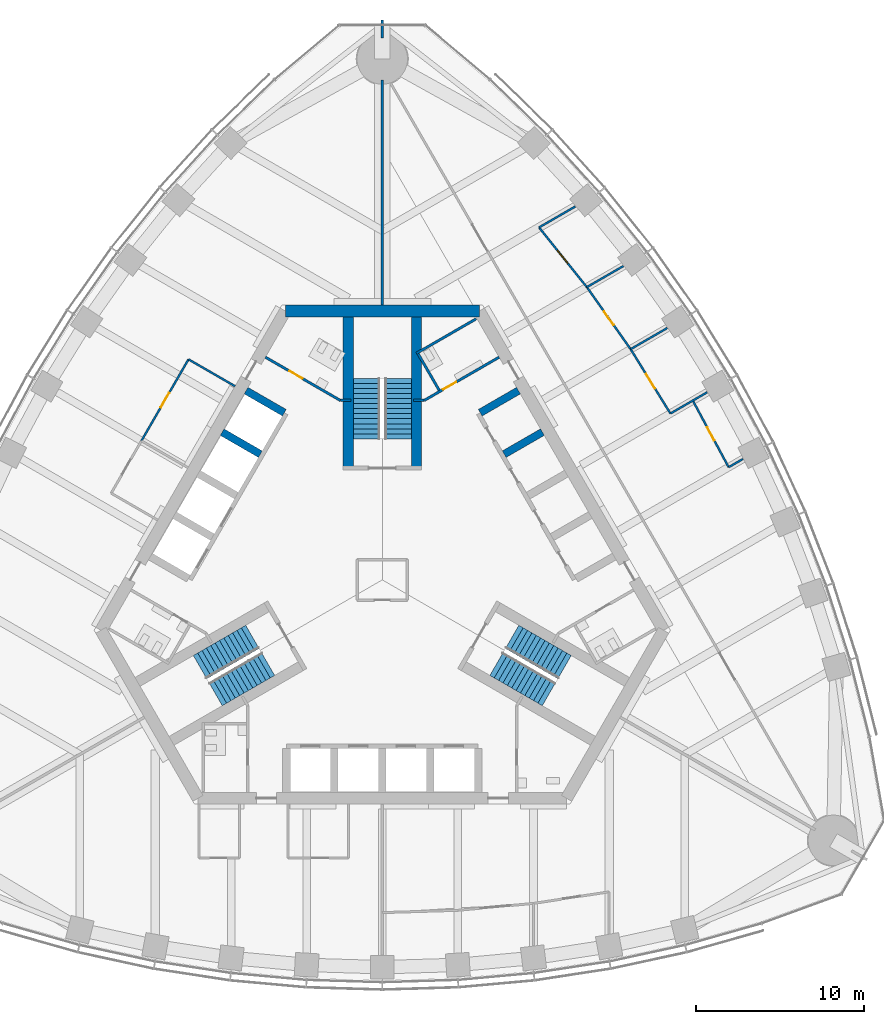
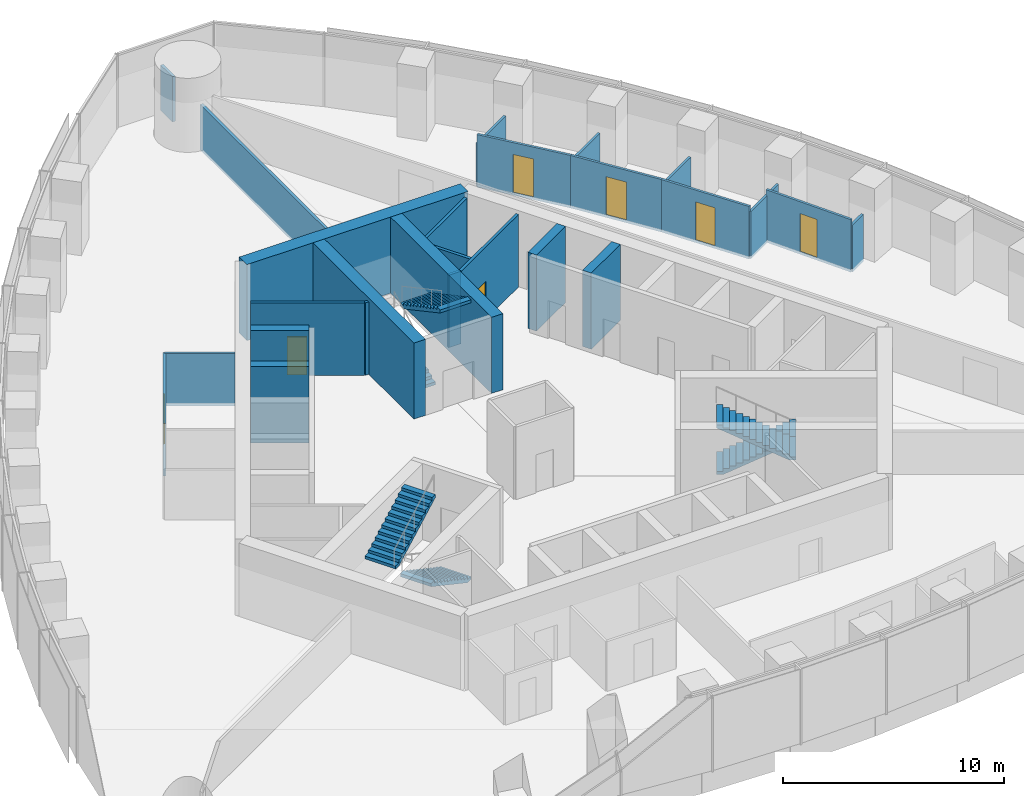
# One storey, part 10 of 15: 26 walls, 7 doors, 6 stair flights, 7 openings, 3 elements without a shape of their own.
"""IFC4 building model written with IfcOpenShell, lengths in metres."""

from ifc_helpers import new_model, si_unit, direction, frame, frame_2d, origin, place, context, subcontext, project, spatial, polyline, rectangle, outline, extrude, material, layer, layer_set, type_object, element, fill, aggregate, save


model = new_model("IFC4")

# Units and contexts
model_context = context("Model", 3, precision=1e-05, world=origin(), true_north=direction((0.0, 1.0)))
body_context = subcontext(model_context, "Body", "Model", "MODEL_VIEW")
ifc_project = project(units=[si_unit("LENGTHUNIT", "METRE"), si_unit("AREAUNIT", "SQUARE_METRE"), si_unit("VOLUMEUNIT", "CUBIC_METRE"), si_unit("PLANEANGLEUNIT", "RADIAN"), si_unit("MASSUNIT", "GRAM", prefix="KILO")], contexts=[model_context])

# Site, building, storey
site_placement = place(None, origin())
site = spatial("IfcSite", under=ifc_project, at=site_placement, CompositionType="ELEMENT")
building_placement = place(site_placement, origin())
building = spatial("IfcBuilding", under=site, at=building_placement, Name="Trefoil Bronze Tower", CompositionType="ELEMENT")
storey_placement = place(building_placement, frame((0.0, 0.0, 276.300048828125)))
storey = spatial("IfcBuildingStorey", under=building, at=storey_placement, Name="L63", CompositionType="ELEMENT", Elevation=276.300048828125)

# Wall
ifc_material_1 = material(Name="Concrete B80", Category="concrete")
ifc_layer_1 = layer(ifc_material_1, 0.699951171875)
ifc_layer_set_1 = layer_set([ifc_layer_1], Name="Core wall 700")
wall_type_1 = type_object("IfcWallType", Name="Core wall 700", PredefinedType="SHEAR", material=ifc_layer_set_1)
wall_1_placement = place(storey_placement, frame((5.7734375, 16.0, 0.0), z_axis=(0.0, 0.0, 1.0), x_axis=(-1.0, 0.0, 0.0)))
element("IfcWall", 1, at=wall_1_placement, inside=storey, type_object=wall_type_1, Name="Core short wall 2 L63", PredefinedType="SHEAR", context=body_context, shape_type="SweptSolid", body=[
    extrude(rectangle(XDim=11.546875, YDim=0.699951171875, at=frame_2d((5.7734375, 0.0))), origin(), (0.0, 0.0, 1.0), 4.199951171875),
])

# Wall, opening, door
ifc_material_2 = material(Name="Glazed partition", Category="glass")
ifc_layer_2 = layer(ifc_material_2, 0.1201171875)
ifc_layer_set_2 = layer_set([ifc_layer_2], Name="Glazed partition 120")
wall_type_2 = type_object("IfcWallType", Name="Glazed partition 120", PredefinedType="PARTITIONING", material=ifc_layer_set_2)
wall_2_placement = place(storey_placement, frame((17.148681640625, 9.90087890625, 0.0), z_axis=(0.0, 0.0, 1.0), x_axis=(-0.525981173851, 0.850496210899, 0.0)))
wall_2 = element("IfcWall", 2, at=wall_2_placement, inside=storey, type_object=wall_type_2, Name="Partition F2 L63", PredefinedType="PARTITIONING", context=body_context, shape_type="SweptSolid", body=[
    extrude(rectangle(XDim=4.501953125, YDim=0.1201171875, at=frame_2d((2.2509765625, 0.0))), origin(), (0.0, 0.0, 1.0), 2.89990234375),
])
opening_1_placement = place(wall_2_placement, frame((1.75, 0.0, 0.14990234375)))
opening_1 = element("IfcOpeningElement", 3, at=opening_1_placement, cuts=wall_2, Name="Opening D9", PredefinedType="OPENING", context=body_context, shape_type="SweptSolid", body=[
    extrude(rectangle(XDim=1.0, YDim=2.10009765625, at=frame_2d((0.5, 1.050048828125))), frame((0.0, 0.070068359375, 0.0), z_axis=(0.0, -1.0, 0.0), x_axis=(1.0, 0.0, 0.0)), (0.0, 0.0, 1.0), 0.14013671875),
])
ifc_material_3 = material(Name="Glazed timber door", Category="wood")
door_type_1 = type_object("IfcDoorType", Name="Meeting room door 1000", OperationType="SINGLE_SWING_LEFT", PredefinedType="DOOR", material=ifc_material_3)
door_1_placement = place(opening_1_placement, frame((1.0, 0.0, 0.0), z_axis=(0.0, 0.0, 1.0), x_axis=(-1.0, 0.0, 0.0)))
door_1 = element("IfcDoor", 4, at=door_1_placement, inside=storey, type_object=door_type_1, Name="Meeting room door F2 L63", OperationType="SINGLE_SWING_RIGHT", OverallHeight=2.10009765625, OverallWidth=1.0, PredefinedType="DOOR", context=body_context, shape_type="SweptSolid", body=[
    extrude(rectangle(XDim=1.0, YDim=2.10009765625, at=frame_2d((0.5, 1.050048828125))), frame((0.0, 0.02490234375, 0.0), z_axis=(0.0, -1.0, 0.0), x_axis=(1.0, 0.0, 0.0)), (0.0, 0.0, 1.0), 0.050048828125),
])
fill(opening_1, door_1)

wall_3_placement = place(storey_placement, frame((14.78076171875, 13.729736328125, 0.0), z_axis=(0.0, 0.0, 1.0), x_axis=(-0.576572893039, 0.817045714151, 0.0)))
wall_3 = element("IfcWall", 5, at=wall_3_placement, inside=storey, type_object=wall_type_2, Name="Partition F2 L63", PredefinedType="PARTITIONING", context=body_context, shape_type="SweptSolid", body=[
    extrude(rectangle(XDim=4.518798828125, YDim=0.1201171875, at=frame_2d((2.25927734375, 0.0))), origin(), (0.0, 0.0, 1.0), 2.89990234375),
])
opening_2_placement = place(wall_3_placement, frame((1.75, 0.0, 0.14990234375)))
opening_2 = element("IfcOpeningElement", 6, at=opening_2_placement, cuts=wall_3, Name="Opening D9", PredefinedType="OPENING", context=body_context, shape_type="SweptSolid", body=[
    extrude(rectangle(XDim=1.0, YDim=2.10009765625, at=frame_2d((0.5, 1.050048828125))), frame((0.0, 0.070068359375, 0.0), z_axis=(0.0, -1.0, 0.0), x_axis=(1.0, 0.0, 0.0)), (0.0, 0.0, 1.0), 0.14013671875),
])
door_2_placement = place(opening_2_placement, frame((1.0, 0.0, 0.0), z_axis=(0.0, 0.0, 1.0), x_axis=(-1.0, 0.0, 0.0)))
door_2 = element("IfcDoor", 7, at=door_2_placement, inside=storey, type_object=door_type_1, Name="Meeting room door F2 L63", OperationType="SINGLE_SWING_RIGHT", OverallHeight=2.10009765625, OverallWidth=1.0, PredefinedType="DOOR", context=body_context, shape_type="SweptSolid", body=[
    extrude(rectangle(XDim=1.0, YDim=2.10009765625, at=frame_2d((0.5, 1.050048828125))), frame((0.0, 0.02490234375, 0.0), z_axis=(0.0, -1.0, 0.0), x_axis=(1.0, 0.0, 0.0)), (0.0, 0.0, 1.0), 0.050048828125),
])
fill(opening_2, door_2)

wall_4_placement = place(storey_placement, frame((12.17529296875, 17.421875, 0.0), z_axis=(0.0, 0.0, 1.0), x_axis=(-0.625290045305, 0.780392439252, 0.0)))
wall_4 = element("IfcWall", 8, at=wall_4_placement, inside=storey, type_object=wall_type_2, Name="Partition F2 L63", PredefinedType="PARTITIONING", context=body_context, shape_type="SweptSolid", body=[
    extrude(rectangle(XDim=4.55224609375, YDim=0.1201171875, at=frame_2d((2.276123046875, 0.0))), origin(), (0.0, 0.0, 1.0), 2.89990234375),
])
opening_3_placement = place(wall_4_placement, frame((1.800048828125, 0.0, 0.14990234375)))
opening_3 = element("IfcOpeningElement", 9, at=opening_3_placement, cuts=wall_4, Name="Opening D9", PredefinedType="OPENING", context=body_context, shape_type="SweptSolid", body=[
    extrude(rectangle(XDim=1.0, YDim=2.10009765625, at=frame_2d((0.5, 1.050048828125))), frame((0.0, 0.070068359375, 0.0), z_axis=(0.0, -1.0, 0.0), x_axis=(1.0, 0.0, 0.0)), (0.0, 0.0, 1.0), 0.14013671875),
])
door_3_placement = place(opening_3_placement, frame((1.0, 0.0, 0.0), z_axis=(0.0, 0.0, 1.0), x_axis=(-1.0, 0.0, 0.0)))
door_3 = element("IfcDoor", 10, at=door_3_placement, inside=storey, type_object=door_type_1, Name="Meeting room door F2 L63", OperationType="SINGLE_SWING_LEFT", OverallHeight=2.10009765625, OverallWidth=1.0, PredefinedType="DOOR", context=body_context, shape_type="SweptSolid", body=[
    extrude(rectangle(XDim=1.0, YDim=2.10009765625, at=frame_2d((0.5, 1.050048828125))), frame((0.0, 0.02490234375, 0.0), z_axis=(0.0, -1.0, 0.0), x_axis=(1.0, 0.0, 0.0)), (0.0, 0.0, 1.0), 0.050048828125),
])
fill(opening_3, door_3)

wall_5_placement = place(storey_placement, frame((20.613525390625, 6.705078125, 0.0), z_axis=(0.0, 0.0, 1.0), x_axis=(-0.473566170147, 0.880758242932, 0.0)))
wall_5 = element("IfcWall", 11, at=wall_5_placement, inside=storey, type_object=wall_type_2, Name="Partition F2 L63", PredefinedType="PARTITIONING", context=body_context, shape_type="SweptSolid", body=[
    extrude(rectangle(XDim=4.502197265625, YDim=0.1201171875, at=frame_2d((2.2509765625, 0.0))), origin(), (0.0, 0.0, 1.0), 2.89990234375),
])
opening_4_placement = place(wall_5_placement, frame((1.800048828125, 0.0, 0.14990234375)))
opening_4 = element("IfcOpeningElement", 12, at=opening_4_placement, cuts=wall_5, Name="Opening D8", PredefinedType="OPENING", context=body_context, shape_type="SweptSolid", body=[
    extrude(rectangle(XDim=0.89990234375, YDim=2.10009765625, at=frame_2d((0.449951171875, 1.050048828125))), frame((0.0, 0.070068359375, 0.0), z_axis=(0.0, -1.0, 0.0), x_axis=(1.0, 0.0, 0.0)), (0.0, 0.0, 1.0), 0.14013671875),
])
ifc_material_4 = material(Name="Timber door", Category="wood")
door_type_2 = type_object("IfcDoorType", Name="Office door 900", OperationType="SINGLE_SWING_LEFT", PredefinedType="DOOR", material=ifc_material_4)
door_4_placement = place(opening_4_placement, frame((0.89990234375, 0.0, 0.0), z_axis=(0.0, 0.0, 1.0), x_axis=(-1.0, 0.0, 0.0)))
door_4 = element("IfcDoor", 13, at=door_4_placement, inside=storey, type_object=door_type_2, Name="Comms room door F2 L63", OperationType="SINGLE_SWING_RIGHT", OverallHeight=2.10009765625, OverallWidth=0.89990234375, PredefinedType="DOOR", context=body_context, shape_type="SweptSolid", body=[
    extrude(rectangle(XDim=0.89990234375, YDim=2.10009765625, at=frame_2d((0.449951171875, 1.050048828125))), frame((0.0, 0.02490234375, 0.0), z_axis=(0.0, -1.0, 0.0), x_axis=(1.0, 0.0, 0.0)), (0.0, 0.0, 1.0), 0.050048828125),
])
fill(opening_4, door_4)

# Walls
wall_6_placement = place(storey_placement, frame((17.148681640625, 9.90087890625, 0.0), z_axis=(0.0, 0.0, 1.0), x_axis=(0.866022637375, 0.500004791531, 0.0)))
element("IfcWall", 14, at=wall_6_placement, inside=storey, type_object=wall_type_2, Name="Partition F2 L63", PredefinedType="PARTITIONING", context=body_context, shape_type="SweptSolid", body=[
    extrude(rectangle(XDim=2.52001953125, YDim=0.1201171875, at=frame_2d((1.260009765625, 0.0))), origin(), (0.0, 0.0, 1.0), 2.599853515625),
])
wall_7_placement = place(storey_placement, frame((9.328857421875, 20.974365234375, 0.0), z_axis=(0.0, 0.0, 1.0), x_axis=(0.865999769722, 0.50004439687, 0.0)))
element("IfcWall", 15, at=wall_7_placement, inside=storey, type_object=wall_type_2, Name="Partition F2 L63", PredefinedType="PARTITIONING", context=body_context, shape_type="SweptSolid", body=[
    extrude(rectangle(XDim=2.494384765625, YDim=0.1201171875, at=frame_2d((1.2470703125, 0.0))), origin(), (0.0, 0.0, 1.0), 2.39990234375),
])
wall_8_placement = place(storey_placement, frame((14.78076171875, 13.729736328125, 0.0), z_axis=(0.0, 0.0, 1.0), x_axis=(0.866032146685, 0.499988320771, 0.0)))
element("IfcWall", 16, at=wall_8_placement, inside=storey, type_object=wall_type_2, Name="Partition F2 L63", PredefinedType="PARTITIONING", context=body_context, shape_type="SweptSolid", body=[
    extrude(rectangle(XDim=2.51708984375, YDim=0.1201171875, at=frame_2d((1.258544921875, 0.0))), origin(), (0.0, 0.0, 1.0), 2.599853515625),
])
wall_9_placement = place(storey_placement, frame((12.17529296875, 17.421875, 0.0), z_axis=(0.0, 0.0, 1.0), x_axis=(0.866085123457, 0.499896548224, 0.0)))
element("IfcWall", 17, at=wall_9_placement, inside=storey, type_object=wall_type_2, Name="Partition F2 L63", PredefinedType="PARTITIONING", context=body_context, shape_type="SweptSolid", body=[
    extrude(rectangle(XDim=2.5087890625, YDim=0.1201171875, at=frame_2d((1.25439453125, 0.0))), origin(), (0.0, 0.0, 1.0), 2.599853515625),
])
wall_10_placement = place(storey_placement, frame((20.613525390625, 6.705078125, 0.0), z_axis=(0.0, 0.0, 1.0), x_axis=(0.866069217599, 0.499924104568, 0.0)))
element("IfcWall", 18, at=wall_10_placement, inside=storey, type_object=wall_type_2, Name="Partition F2 L63", PredefinedType="PARTITIONING", context=body_context, shape_type="SweptSolid", body=[
    extrude(rectangle(XDim=0.978271484375, YDim=0.1201171875, at=frame_2d((0.4892578125, 0.0))), origin(), (0.0, 0.0, 1.0), 2.599853515625),
])

# Wall, opening, door
wall_11_placement = place(storey_placement, frame((-11.53271484375, 13.124755859375, 0.0), z_axis=(0.0, 0.0, 1.0), x_axis=(-0.49999793692, -0.866026594901, 0.0)))
wall_11 = element("IfcWall", 19, at=wall_11_placement, inside=storey, type_object=wall_type_2, Name="Partition F3 L63", PredefinedType="PARTITIONING", context=body_context, shape_type="SweptSolid", body=[
    extrude(rectangle(XDim=5.60009765625, YDim=0.1201171875, at=frame_2d((2.800048828125, 0.0))), origin(), (0.0, 0.0, 1.0), 2.89990234375),
])
opening_5_placement = place(wall_11_placement, frame((2.300048828125, 0.0, 0.14990234375)))
opening_5 = element("IfcOpeningElement", 20, at=opening_5_placement, cuts=wall_11, Name="Opening D9", PredefinedType="OPENING", context=body_context, shape_type="SweptSolid", body=[
    extrude(rectangle(XDim=1.0, YDim=2.10009765625, at=frame_2d((0.5, 1.050048828125))), frame((0.0, 0.070068359375, 0.0), z_axis=(0.0, -1.0, 0.0), x_axis=(1.0, 0.0, 0.0)), (0.0, 0.0, 1.0), 0.14013671875),
])
door_5_placement = place(opening_5_placement, origin())
door_5 = element("IfcDoor", 21, at=door_5_placement, inside=storey, type_object=door_type_1, Name="Meeting room door F3 L63", OperationType="SINGLE_SWING_RIGHT", OverallHeight=2.10009765625, OverallWidth=1.0, PredefinedType="DOOR", context=body_context, shape_type="SweptSolid", body=[
    extrude(rectangle(XDim=1.0, YDim=2.10009765625, at=frame_2d((0.5, 1.050048828125))), frame((0.0, 0.02490234375, 0.0), z_axis=(0.0, -1.0, 0.0), x_axis=(1.0, 0.0, 0.0)), (0.0, 0.0, 1.0), 0.050048828125),
])
fill(opening_5, door_5)

# Walls
wall_12_placement = place(storey_placement, frame((-8.761474609375, 11.524658203125, 0.0), z_axis=(0.0, 0.0, 1.0), x_axis=(-0.866008981251, 0.500028443584, 0.0)))
element("IfcWall", 22, at=wall_12_placement, inside=storey, type_object=wall_type_2, Name="Partition F3 L63", PredefinedType="PARTITIONING", context=body_context, shape_type="SweptSolid", body=[
    extrude(rectangle(XDim=3.199951171875, YDim=0.1201171875, at=frame_2d((1.60009765625, 0.0))), origin(), (0.0, 0.0, 1.0), 2.89990234375),
])
ifc_material_5 = material(Name="Concrete B80", Category="concrete")
ifc_layer_3 = layer(ifc_material_5, 0.449951171875)
ifc_layer_set_3 = layer_set([ifc_layer_3], Name="Outrigger shaft wall 450")
wall_type_3 = type_object("IfcWallType", Name="Outrigger shaft wall 450", PredefinedType="SHEAR", material=ifc_layer_set_3)
for number, where, z_axis, x_axis, name in (
    (23, (7.2568359375, 7.480712890625, 0.0), (0.0, 0.0, 1.0), (0.866036909293, 0.499980071345, 0.0), "Lift shaft side wall B3 L63"),
    (24, (5.831787109375, 9.94873046875, 0.0), (0.0, 0.0, 1.0), (0.866036909293, 0.499980071345, 0.0), "Lift shaft side wall B4 L63"),
    (25, (-5.831787109375, 9.94873046875, 0.0), (0.0, 0.0, 1.0), (-0.866036909293, 0.499980071345, 0.0), "Lift shaft side wall C0 L63"),
    (26, (-7.2568359375, 7.480712890625, 0.0), (0.0, 0.0, 1.0), (-0.866036909293, 0.499980071345, 0.0), "Lift shaft side wall C1 L63"),
):
    element("IfcWall", number, at=place(storey_placement, frame(where, z_axis=z_axis, x_axis=x_axis)), inside=storey, type_object=wall_type_3, Name=name, PredefinedType="SHEAR", context=body_context, shape_type="SweptSolid", body=[
        extrude(rectangle(XDim=2.625, YDim=0.449951171875, at=frame_2d((1.3125, 0.0))), origin(), (0.0, 0.0, 1.0), 4.199951171875),
    ])

# Wall, opening, door
ifc_material_6 = material(Name="Gypsum board on steel studs", Category="steel")
ifc_layer_4 = layer(ifc_material_6, 0.14990234375)
ifc_layer_set_4 = layer_set([ifc_layer_4], Name="Partition 150")
wall_type_4 = type_object("IfcWallType", Name="Partition 150", PredefinedType="PARTITIONING", material=ifc_layer_set_4)
wall_13_placement = place(storey_placement, frame((2.4951171875, 10.67822265625, 0.0), z_axis=(0.0, 0.0, 1.0), x_axis=(0.866037967349, 0.499978238636, 0.0)))
wall_13 = element("IfcWall", 27, at=wall_13_placement, inside=storey, type_object=wall_type_4, Name="Passage wall F2+ L63", PredefinedType="PARTITIONING", context=body_context, shape_type="SweptSolid", body=[
    extrude(rectangle(XDim=5.150146484375, YDim=0.14990234375, at=frame_2d((2.5751953125, 0.0))), origin(), (0.0, 0.0, 1.0), 4.0),
])
opening_6_placement = place(wall_13_placement, frame((1.300048828125, 0.0, 0.0)))
opening_6 = element("IfcOpeningElement", 28, at=opening_6_placement, cuts=wall_13, Name="Opening D3", PredefinedType="OPENING", context=body_context, shape_type="SweptSolid", body=[
    extrude(rectangle(XDim=0.89990234375, YDim=2.10009765625, at=frame_2d((0.449951171875, 1.050048828125))), frame((0.0, 0.0849609375, 0.0), z_axis=(0.0, -1.0, 0.0), x_axis=(1.0, 0.0, 0.0)), (0.0, 0.0, 1.0), 0.169921875),
])
ifc_material_7 = material(Name="Timber door", Category="wood")
door_type_3 = type_object("IfcDoorType", Name="WC door 900", OperationType="SINGLE_SWING_LEFT", PredefinedType="DOOR", material=ifc_material_7)
door_6_placement = place(opening_6_placement, origin())
door_6 = element("IfcDoor", 29, at=door_6_placement, inside=storey, type_object=door_type_3, Name="WC (men) door L63", OperationType="SINGLE_SWING_LEFT", OverallHeight=2.10009765625, OverallWidth=0.89990234375, PredefinedType="DOOR", context=body_context, shape_type="SweptSolid", body=[
    extrude(rectangle(XDim=0.89990234375, YDim=2.10009765625, at=frame_2d((0.449951171875, 1.050048828125))), frame((0.0, 0.02490234375, 0.0), z_axis=(0.0, -1.0, 0.0), x_axis=(1.0, 0.0, 0.0)), (0.0, 0.0, 1.0), 0.050048828125),
])
fill(opening_6, door_6)

wall_14_placement = place(storey_placement, frame((-2.4951171875, 10.67822265625, 0.0), z_axis=(0.0, 0.0, 1.0), x_axis=(-0.866037967349, 0.499978238636, 0.0)))
wall_14 = element("IfcWall", 30, at=wall_14_placement, inside=storey, type_object=wall_type_4, Name="Passage wall F3- L63", PredefinedType="PARTITIONING", context=body_context, shape_type="SweptSolid", body=[
    extrude(rectangle(XDim=5.150146484375, YDim=0.14990234375, at=frame_2d((2.5751953125, 0.0))), origin(), (0.0, 0.0, 1.0), 4.0),
])
opening_7_placement = place(wall_14_placement, frame((2.60009765625, 0.0, 0.0)))
opening_7 = element("IfcOpeningElement", 31, at=opening_7_placement, cuts=wall_14, Name="Opening D3", PredefinedType="OPENING", context=body_context, shape_type="SweptSolid", body=[
    extrude(rectangle(XDim=0.89990234375, YDim=2.10009765625, at=frame_2d((0.449951171875, 1.050048828125))), frame((0.0, 0.0849609375, 0.0), z_axis=(0.0, -1.0, 0.0), x_axis=(1.0, 0.0, 0.0)), (0.0, 0.0, 1.0), 0.169921875),
])
door_7_placement = place(opening_7_placement, frame((0.89990234375, 0.0, 0.0), z_axis=(0.0, 0.0, 1.0), x_axis=(-1.0, 0.0, 0.0)))
door_7 = element("IfcDoor", 32, at=door_7_placement, inside=storey, type_object=door_type_3, Name="WC (women) door L63", OperationType="SINGLE_SWING_LEFT", OverallHeight=2.10009765625, OverallWidth=0.89990234375, PredefinedType="DOOR", context=body_context, shape_type="SweptSolid", body=[
    extrude(rectangle(XDim=0.89990234375, YDim=2.10009765625, at=frame_2d((0.449951171875, 1.050048828125))), frame((0.0, 0.02490234375, 0.0), z_axis=(0.0, -1.0, 0.0), x_axis=(1.0, 0.0, 0.0)), (0.0, 0.0, 1.0), 0.050048828125),
])
fill(opening_7, door_7)

# Walls
for number, where, z_axis, x_axis, name in (
    (33, (2.4951171875, 10.67822265625, 0.0), (0.0, 0.0, 1.0), (-1.0, 0.0, 0.0), "WC wall ST2-1 L63"),
    (34, (-2.4951171875, 10.67822265625, 0.0), (0.0, 0.0, 1.0), (1.0, 0.0, 0.0), "WC wall ST2+1 L63"),
):
    element("IfcWall", number, at=place(storey_placement, frame(where, z_axis=z_axis, x_axis=x_axis)), inside=storey, type_object=wall_type_4, Name=name, PredefinedType="PARTITIONING", context=body_context, shape_type="SweptSolid", body=[
        extrude(rectangle(XDim=0.64501953125, YDim=0.14990234375, at=frame_2d((0.322509765625, 0.0))), origin(), (0.0, 0.0, 1.0), 4.0),
    ])
wall_15_placement = place(storey_placement, frame((2.03125, 13.48193359375, 0.0), z_axis=(0.0, 0.0, 1.0), x_axis=(0.866050731258, 0.499956128963, 0.0)))
element("IfcWall", 35, at=wall_15_placement, inside=storey, type_object=wall_type_4, Name="WC partition WC (men) L63", PredefinedType="PARTITIONING", context=body_context, shape_type="SweptSolid", body=[
    extrude(rectangle(XDim=4.099853515625, YDim=0.14990234375, at=frame_2d((2.0498046875, 0.0))), origin(), (0.0, 0.0, 1.0), 4.0),
])
wall_16_placement = place(storey_placement, frame((3.388671875, 11.28076171875, 0.0), z_axis=(0.0, 0.0, 1.0), x_axis=(-0.499989096993, 0.866031698547, 0.0)))
element("IfcWall", 36, at=wall_16_placement, inside=storey, type_object=wall_type_4, Name="WC partition WC (men) L63", PredefinedType="PARTITIONING", context=body_context, shape_type="SweptSolid", body=[
    extrude(rectangle(XDim=2.509765625, YDim=0.14990234375, at=frame_2d((1.2548828125, 0.0))), origin(), (0.0, 0.0, 1.0), 4.0),
])
ifc_material_8 = material(Name="Gypsum board on steel studs", Category="steel")
ifc_layer_5 = layer(ifc_material_8, 0.14990234375)
ifc_layer_set_5 = layer_set([ifc_layer_5], Name="Party wall 150")
wall_type_5 = type_object("IfcWallType", Name="Party wall 150", PredefinedType="PARTITIONING", material=ifc_layer_set_5)
wall_17_placement = place(storey_placement, frame((0.0, 16.35009765625, 0.0), z_axis=(0.0, 0.0, 1.0), x_axis=(0.0, 1.0, 0.0)))
element("IfcWall", 37, at=wall_17_placement, inside=storey, type_object=wall_type_5, Name="Party wall K2 L63", PredefinedType="PARTITIONING", context=body_context, shape_type="SweptSolid", body=[
    extrude(rectangle(XDim=13.39990234375, YDim=0.14990234375, at=frame_2d((6.699951171875, 0.0))), origin(), (0.0, 0.0, 1.0), 2.5),
])
wall_18_placement = place(storey_placement, frame((0.0, 32.25, 0.0), z_axis=(0.0, 0.0, 1.0), x_axis=(0.0, 1.0, 0.0)))
element("IfcWall", 38, at=wall_18_placement, inside=storey, type_object=wall_type_5, Name="Party wall K2 L63", PredefinedType="PARTITIONING", context=body_context, shape_type="SweptSolid", body=[
    extrude(rectangle(XDim=1.06982421875, YDim=0.14990234375, at=frame_2d((0.534912109375, 0.0))), origin(), (0.0, 0.0, 1.0), 2.5),
])
ifc_material_9 = material(Name="Concrete B80", Category="concrete")
ifc_layer_6 = layer(ifc_material_9, 0.60009765625)
ifc_layer_set_6 = layer_set([ifc_layer_6], Name="Stair wall 600")
wall_type_6 = type_object("IfcWallType", Name="Stair wall 600", PredefinedType="SHEAR", material=ifc_layer_set_6)
for number, where, z_axis, x_axis, name in (
    (39, (2.02490234375, 6.52490234375, 0.0), (0.0, 0.0, 1.0), (0.0, 1.0, 0.0), "Stair wall ST2 L63"),
    (40, (-2.02490234375, 6.52490234375, 0.0), (0.0, 0.0, 1.0), (0.0, 1.0, 0.0), "Stair wall ST2 L63"),
):
    element("IfcWall", number, at=place(storey_placement, frame(where, z_axis=z_axis, x_axis=x_axis)), inside=storey, type_object=wall_type_6, Name=name, PredefinedType="SHEAR", context=body_context, shape_type="SweptSolid", body=[
        extrude(rectangle(XDim=9.125, YDim=0.60009765625, at=frame_2d((4.5625, 0.0))), origin(), (0.0, 0.0, 1.0), 4.199951171875),
    ])

# Stair, stair flights
ifc_material_10 = material(Name="Precast concrete B80", Category="concrete")
stair_type = type_object("IfcStairType", Name="Exit stair 26 risers", PredefinedType="HALF_TURN_STAIR", material=ifc_material_10)
stair_1_placement = place(storey_placement, origin())
stair_1 = element("IfcStair", 41, at=stair_1_placement, inside=storey, type_object=stair_type, Name="Stair ST1 L63", PredefinedType="HALF_TURN_STAIR")
ifc_material_11 = material(Name="Precast concrete B80", Category="concrete")
stair_flight_type = type_object("IfcStairFlightType", Name="Stair flight 1600", PredefinedType="STRAIGHT", material=ifc_material_11)
stair_flight_1_placement = place(storey_placement, frame((7.728515625, -3.39404296875, 0.0), z_axis=(0.0, 0.0, 1.0), x_axis=(0.866025403784, -0.5, 0.0)))
stair_flight_1 = element("IfcStairFlight", 42, at=stair_flight_1_placement, type_object=stair_flight_type, Name="ST1 flight 1", NumberOfRisers=13, NumberOfTreads=12, PredefinedType="STRAIGHT", RiserHeight=0.161538462, TreadLength=0.3, context=body_context, shape_type="SweptSolid", body=[
    extrude(outline(polyline([(0.0, 0.0), (0.0, 0.16162109375), (0.300048828125, 0.16162109375), (0.300048828125, 0.322998046875), (0.60009765625, 0.322998046875), (0.60009765625, 0.484619140625), (0.89990234375, 0.484619140625), (0.89990234375, 0.646240234375), (1.199951171875, 0.646240234375), (1.199951171875, 0.8076171875), (1.5, 0.8076171875), (1.5, 0.96923828125), (1.800048828125, 0.96923828125), (1.800048828125, 1.130859375), (2.10009765625, 1.130859375), (2.10009765625, 1.292236328125), (2.39990234375, 1.292236328125), (2.39990234375, 1.453857421875), (2.699951171875, 1.453857421875), (2.699951171875, 1.615478515625), (3.0, 1.615478515625), (3.0, 1.77685546875), (3.300048828125, 1.77685546875), (3.300048828125, 1.9384765625), (3.60009765625, 1.9384765625), (3.60009765625, 2.10009765625), (3.60009765625, 1.768310546875), (0.316162109375, 0.0), (0.0, 0.0)])), frame((0.0, 0.800048828125, 0.0), z_axis=(0.0, -1.0, 0.0), x_axis=(1.0, 0.0, 0.0)), (0.0, 0.0, 1.0), 1.60009765625),
])
stair_flight_2_placement = place(storey_placement, frame((9.921142578125, -6.796142578125, 2.099853515625), z_axis=(0.0, 0.0, 1.0), x_axis=(-0.866025403784, 0.5, 0.0)))
stair_flight_2 = element("IfcStairFlight", 43, at=stair_flight_2_placement, type_object=stair_flight_type, Name="ST1 flight 2", NumberOfRisers=13, NumberOfTreads=12, PredefinedType="STRAIGHT", RiserHeight=0.161538462, TreadLength=0.3, context=body_context, shape_type="SweptSolid", body=[
    extrude(outline(polyline([(0.0, 0.0), (0.0, 0.16162109375), (0.300048828125, 0.16162109375), (0.300048828125, 0.322998046875), (0.60009765625, 0.322998046875), (0.60009765625, 0.484619140625), (0.89990234375, 0.484619140625), (0.89990234375, 0.646240234375), (1.199951171875, 0.646240234375), (1.199951171875, 0.8076171875), (1.5, 0.8076171875), (1.5, 0.96923828125), (1.800048828125, 0.96923828125), (1.800048828125, 1.130859375), (2.10009765625, 1.130859375), (2.10009765625, 1.292236328125), (2.39990234375, 1.292236328125), (2.39990234375, 1.453857421875), (2.699951171875, 1.453857421875), (2.699951171875, 1.615478515625), (3.0, 1.615478515625), (3.0, 1.77685546875), (3.300048828125, 1.77685546875), (3.300048828125, 1.9384765625), (3.60009765625, 1.9384765625), (3.60009765625, 2.10009765625), (3.60009765625, 1.768310546875), (0.316162109375, 0.0), (0.0, 0.0)])), frame((0.0, 0.800048828125, 0.0), z_axis=(0.0, -1.0, 0.0), x_axis=(1.0, 0.0, 0.0)), (0.0, 0.0, 1.0), 1.60009765625),
])
aggregate(stair_1, [stair_flight_1, stair_flight_2])

stair_2_placement = place(storey_placement, origin())
stair_2 = element("IfcStair", 44, at=stair_2_placement, inside=storey, type_object=stair_type, Name="Stair ST2 L63", PredefinedType="HALF_TURN_STAIR")
stair_flight_3_placement = place(storey_placement, frame((-0.925048828125, 8.389892578125, 0.0), z_axis=(0.0, 0.0, 1.0), x_axis=(0.0, 1.0, 0.0)))
stair_flight_3 = element("IfcStairFlight", 45, at=stair_flight_3_placement, type_object=stair_flight_type, Name="ST2 flight 1", NumberOfRisers=13, NumberOfTreads=12, PredefinedType="STRAIGHT", RiserHeight=0.161538462, TreadLength=0.3, context=body_context, shape_type="SweptSolid", body=[
    extrude(outline(polyline([(0.0, 0.0), (0.0, 0.16162109375), (0.300048828125, 0.16162109375), (0.300048828125, 0.322998046875), (0.60009765625, 0.322998046875), (0.60009765625, 0.484619140625), (0.89990234375, 0.484619140625), (0.89990234375, 0.646240234375), (1.199951171875, 0.646240234375), (1.199951171875, 0.8076171875), (1.5, 0.8076171875), (1.5, 0.96923828125), (1.800048828125, 0.96923828125), (1.800048828125, 1.130859375), (2.10009765625, 1.130859375), (2.10009765625, 1.292236328125), (2.39990234375, 1.292236328125), (2.39990234375, 1.453857421875), (2.699951171875, 1.453857421875), (2.699951171875, 1.615478515625), (3.0, 1.615478515625), (3.0, 1.77685546875), (3.300048828125, 1.77685546875), (3.300048828125, 1.9384765625), (3.60009765625, 1.9384765625), (3.60009765625, 2.10009765625), (3.60009765625, 1.768310546875), (0.316162109375, 0.0), (0.0, 0.0)])), frame((0.0, 0.800048828125, 0.0), z_axis=(0.0, -1.0, 0.0), x_axis=(1.0, 0.0, 0.0)), (0.0, 0.0, 1.0), 1.60009765625),
])
stair_flight_4_placement = place(storey_placement, frame((0.925048828125, 11.989990234375, 2.099853515625), z_axis=(0.0, 0.0, 1.0), x_axis=(0.0, -1.0, 0.0)))
stair_flight_4 = element("IfcStairFlight", 46, at=stair_flight_4_placement, type_object=stair_flight_type, Name="ST2 flight 2", NumberOfRisers=13, NumberOfTreads=12, PredefinedType="STRAIGHT", RiserHeight=0.161538462, TreadLength=0.3, context=body_context, shape_type="SweptSolid", body=[
    extrude(outline(polyline([(0.0, 0.0), (0.0, 0.16162109375), (0.300048828125, 0.16162109375), (0.300048828125, 0.322998046875), (0.60009765625, 0.322998046875), (0.60009765625, 0.484619140625), (0.89990234375, 0.484619140625), (0.89990234375, 0.646240234375), (1.199951171875, 0.646240234375), (1.199951171875, 0.8076171875), (1.5, 0.8076171875), (1.5, 0.96923828125), (1.800048828125, 0.96923828125), (1.800048828125, 1.130859375), (2.10009765625, 1.130859375), (2.10009765625, 1.292236328125), (2.39990234375, 1.292236328125), (2.39990234375, 1.453857421875), (2.699951171875, 1.453857421875), (2.699951171875, 1.615478515625), (3.0, 1.615478515625), (3.0, 1.77685546875), (3.300048828125, 1.77685546875), (3.300048828125, 1.9384765625), (3.60009765625, 1.9384765625), (3.60009765625, 2.10009765625), (3.60009765625, 1.768310546875), (0.316162109375, 0.0), (0.0, 0.0)])), frame((0.0, 0.800048828125, 0.0), z_axis=(0.0, -1.0, 0.0), x_axis=(1.0, 0.0, 0.0)), (0.0, 0.0, 1.0), 1.60009765625),
])
aggregate(stair_2, [stair_flight_3, stair_flight_4])

stair_3_placement = place(storey_placement, origin())
stair_3 = element("IfcStair", 47, at=stair_3_placement, inside=storey, type_object=stair_type, Name="Stair ST3 L63", PredefinedType="HALF_TURN_STAIR")
stair_flight_5_placement = place(storey_placement, frame((-6.803466796875, -4.99609375, 0.0), z_axis=(0.0, 0.0, 1.0), x_axis=(-0.866025403784, -0.5, 0.0)))
stair_flight_5 = element("IfcStairFlight", 48, at=stair_flight_5_placement, type_object=stair_flight_type, Name="ST3 flight 1", NumberOfRisers=13, NumberOfTreads=12, PredefinedType="STRAIGHT", RiserHeight=0.161538462, TreadLength=0.3, context=body_context, shape_type="SweptSolid", body=[
    extrude(outline(polyline([(0.0, 0.0), (0.0, 0.16162109375), (0.300048828125, 0.16162109375), (0.300048828125, 0.322998046875), (0.60009765625, 0.322998046875), (0.60009765625, 0.484619140625), (0.89990234375, 0.484619140625), (0.89990234375, 0.646240234375), (1.199951171875, 0.646240234375), (1.199951171875, 0.8076171875), (1.5, 0.8076171875), (1.5, 0.96923828125), (1.800048828125, 0.96923828125), (1.800048828125, 1.130859375), (2.10009765625, 1.130859375), (2.10009765625, 1.292236328125), (2.39990234375, 1.292236328125), (2.39990234375, 1.453857421875), (2.699951171875, 1.453857421875), (2.699951171875, 1.615478515625), (3.0, 1.615478515625), (3.0, 1.77685546875), (3.300048828125, 1.77685546875), (3.300048828125, 1.9384765625), (3.60009765625, 1.9384765625), (3.60009765625, 2.10009765625), (3.60009765625, 1.768310546875), (0.316162109375, 0.0), (0.0, 0.0)])), frame((0.0, 0.800048828125, 0.0), z_axis=(0.0, -1.0, 0.0), x_axis=(1.0, 0.0, 0.0)), (0.0, 0.0, 1.0), 1.60009765625),
])
stair_flight_6_placement = place(storey_placement, frame((-10.84619140625, -5.19384765625, 2.099853515625), z_axis=(0.0, 0.0, 1.0), x_axis=(0.866025403784, 0.5, 0.0)))
stair_flight_6 = element("IfcStairFlight", 49, at=stair_flight_6_placement, type_object=stair_flight_type, Name="ST3 flight 2", NumberOfRisers=13, NumberOfTreads=12, PredefinedType="STRAIGHT", RiserHeight=0.161538462, TreadLength=0.3, context=body_context, shape_type="SweptSolid", body=[
    extrude(outline(polyline([(0.0, 0.0), (0.0, 0.16162109375), (0.300048828125, 0.16162109375), (0.300048828125, 0.322998046875), (0.60009765625, 0.322998046875), (0.60009765625, 0.484619140625), (0.89990234375, 0.484619140625), (0.89990234375, 0.646240234375), (1.199951171875, 0.646240234375), (1.199951171875, 0.8076171875), (1.5, 0.8076171875), (1.5, 0.96923828125), (1.800048828125, 0.96923828125), (1.800048828125, 1.130859375), (2.10009765625, 1.130859375), (2.10009765625, 1.292236328125), (2.39990234375, 1.292236328125), (2.39990234375, 1.453857421875), (2.699951171875, 1.453857421875), (2.699951171875, 1.615478515625), (3.0, 1.615478515625), (3.0, 1.77685546875), (3.300048828125, 1.77685546875), (3.300048828125, 1.9384765625), (3.60009765625, 1.9384765625), (3.60009765625, 2.10009765625), (3.60009765625, 1.768310546875), (0.316162109375, 0.0), (0.0, 0.0)])), frame((0.0, 0.800048828125, 0.0), z_axis=(0.0, -1.0, 0.0), x_axis=(1.0, 0.0, 0.0)), (0.0, 0.0, 1.0), 1.60009765625),
])
aggregate(stair_3, [stair_flight_5, stair_flight_6])

save(model, "model.ifc")
